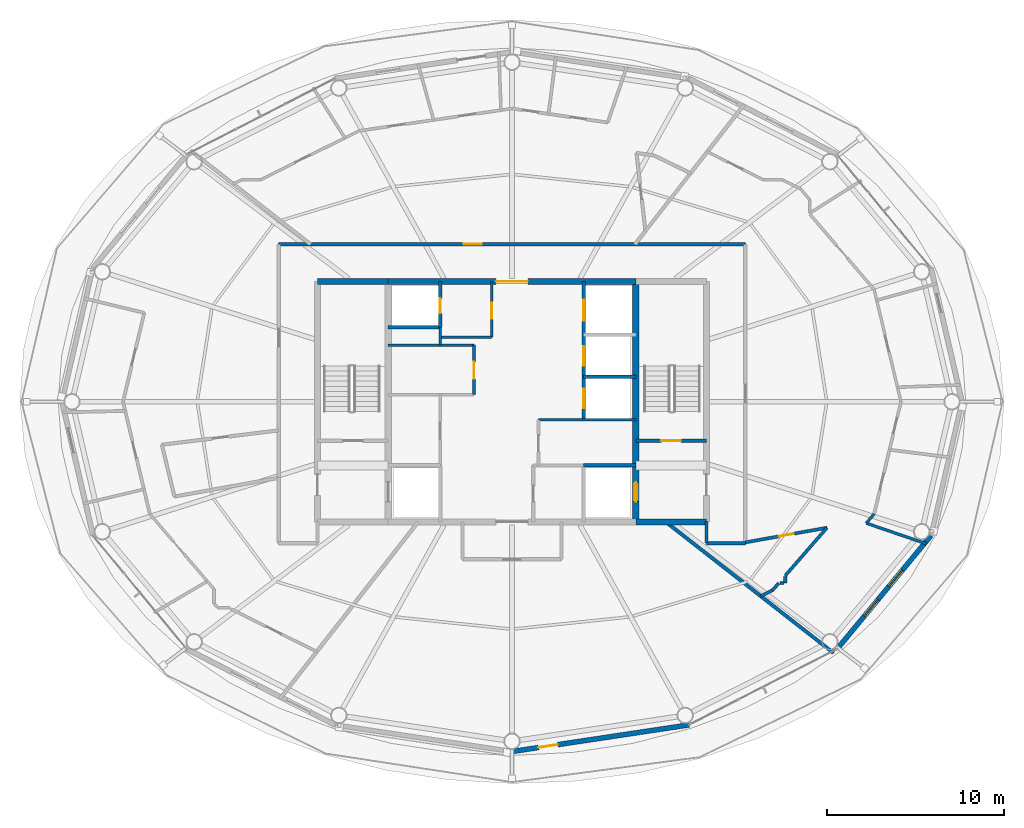
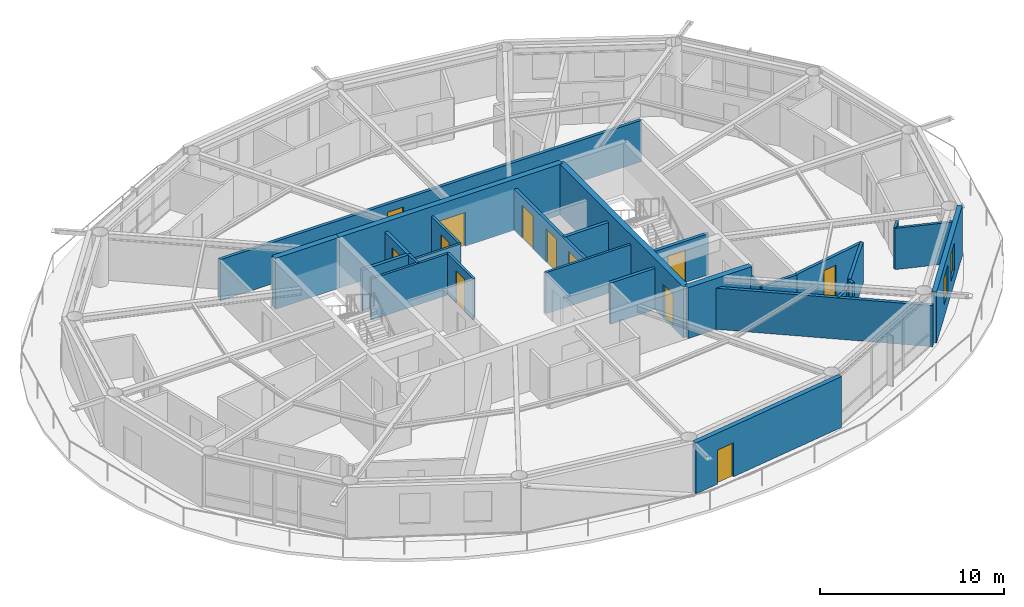
# One storey, part 17 of 22: 30 walls, 12 doors, 2 windows, 14 openings.
"""IFC4 building model written with IfcOpenShell, lengths in metres."""

from ifc_helpers import new_model, si_unit, direction, frame, frame_2d, origin, place, context, subcontext, project, spatial, rectangle, extrude, material, layer, layer_set, type_object, element, fill, save


model = new_model("IFC4")

# Units and contexts
model_context = context("Model", 3, precision=1e-05, world=origin(), true_north=direction((0.0, 1.0)))
body_context = subcontext(model_context, "Body", "Model", "MODEL_VIEW")
ifc_project = project(units=[si_unit("LENGTHUNIT", "METRE"), si_unit("AREAUNIT", "SQUARE_METRE"), si_unit("VOLUMEUNIT", "CUBIC_METRE"), si_unit("PLANEANGLEUNIT", "RADIAN"), si_unit("MASSUNIT", "GRAM", prefix="KILO")], contexts=[model_context])

# Site, building, storey
site_placement = place(None, origin())
site = spatial("IfcSite", under=ifc_project, at=site_placement, CompositionType="ELEMENT")
building_placement = place(site_placement, origin())
building = spatial("IfcBuilding", under=site, at=building_placement, Name="Sarneth Arch Tower", CompositionType="ELEMENT")
storey_placement = place(building_placement, frame((0.0, 0.0, 305.39990234375)))
storey = spatial("IfcBuildingStorey", under=building, at=storey_placement, Name="L79", CompositionType="ELEMENT", Elevation=305.39990234375)

# Walls
ifc_material_1 = material(Name="Concrete C50/60", Category="concrete")
ifc_layer_1 = layer(ifc_material_1, 0.35009765625)
ifc_layer_set_1 = layer_set([ifc_layer_1], Name="Concrete C50/60")
wall_type_1 = type_object("IfcWallType", Name="WALL-CORE-350", PredefinedType="SHEAR", material=ifc_layer_set_1)
for number, where, z_axis, x_axis, name in (
    (1, (55.0, 35.199951171875, 0.0), (0.0, 0.0, 1.0), (1.0, 0.0, 0.0), "L79 Core shear wall S-E"),
    (2, (37.0, 48.800048828125, 0.0), (0.0, 0.0, 1.0), (1.0, 0.0, 0.0), "L79 Core shear wall N-W"),
):
    element("IfcWall", number, at=place(storey_placement, frame(where, z_axis=z_axis, x_axis=x_axis)), inside=storey, type_object=wall_type_1, Name=name, PredefinedType="SHEAR", context=body_context, shape_type="SweptSolid", body=[
        extrude(rectangle(XDim=4.0, YDim=0.35009765625, at=frame_2d((2.0, 0.0))), origin(), (0.0, 0.0, 1.0), 3.3701171875),
    ])

# Wall, opening, door
wall_1_placement = place(storey_placement, frame((41.0, 48.800048828125, 0.0), z_axis=(0.0, 0.0, 1.0), x_axis=(1.0, 0.0, 0.0)))
wall_1 = element("IfcWall", 3, at=wall_1_placement, inside=storey, type_object=wall_type_1, Name="L79 Core shear wall N-M", PredefinedType="SHEAR", context=body_context, shape_type="SweptSolid", body=[
    extrude(rectangle(XDim=14.0, YDim=0.35009765625, at=frame_2d((7.0, 0.0))), origin(), (0.0, 0.0, 1.0), 3.3701171875),
])
opening_1_placement = place(wall_1_placement, frame((6.10009765625, 0.0, 0.0)))
opening_1 = element("IfcOpeningElement", 4, at=opening_1_placement, cuts=wall_1, Name="Opening FD-01", PredefinedType="OPENING", context=body_context, shape_type="SweptSolid", body=[
    extrude(rectangle(XDim=1.800048828125, YDim=2.25, at=frame_2d((0.89990234375, 1.125))), frame((0.0, 0.18505859375, 0.0), z_axis=(0.0, -1.0, 0.0), x_axis=(1.0, 0.0, 0.0)), (0.0, 0.0, 1.0), 0.3701171875),
])
ifc_material_2 = material(Name="Galvanised Steel S275 fire door set", Category="steel")
door_type_1 = type_object("IfcDoorType", Name="DR-FD90-1800", OperationType="DOUBLE_DOOR_SINGLE_SWING", PredefinedType="DOOR", material=ifc_material_2)
door_1_placement = place(opening_1_placement, origin())
door_1 = element("IfcDoor", 5, at=door_1_placement, inside=storey, type_object=door_type_1, Name="L79 Central lift lobby north door", OperationType="DOUBLE_DOOR_SINGLE_SWING", OverallHeight=2.25, OverallWidth=1.800048828125, PredefinedType="DOOR", context=body_context, shape_type="SweptSolid", body=[
    extrude(rectangle(XDim=1.800048828125, YDim=2.25, at=frame_2d((0.89990234375, 1.125))), frame((0.0, 0.02490234375, 0.0), z_axis=(0.0, -1.0, 0.0), x_axis=(1.0, 0.0, 0.0)), (0.0, 0.0, 1.0), 0.050048828125),
])
fill(opening_1, door_1)

wall_2_placement = place(storey_placement, frame((55.0, 35.199951171875, 0.0), z_axis=(0.0, 0.0, 1.0), x_axis=(0.0, 1.0, 0.0)))
wall_2 = element("IfcWall", 6, at=wall_2_placement, inside=storey, type_object=wall_type_1, Name="L79 Core shear wall WEB-E", PredefinedType="SHEAR", context=body_context, shape_type="SweptSolid", body=[
    extrude(rectangle(XDim=13.60009765625, YDim=0.35009765625, at=frame_2d((6.800048828125, 0.0))), origin(), (0.0, 0.0, 1.0), 3.3701171875),
])
opening_2_placement = place(wall_2_placement, frame((1.14990234375, 0.0, 0.0)))
opening_2 = element("IfcOpeningElement", 7, at=opening_2_placement, cuts=wall_2, Name="Opening LD-1", PredefinedType="OPENING", context=body_context, shape_type="SweptSolid", body=[
    extrude(rectangle(XDim=1.10009765625, YDim=2.199951171875, at=frame_2d((0.550048828125, 1.10009765625))), frame((0.0, 0.18505859375, 0.0), z_axis=(0.0, -1.0, 0.0), x_axis=(1.0, 0.0, 0.0)), (0.0, 0.0, 1.0), 0.3701171875),
])
ifc_material_3 = material(Name="Brushed Stainless Steel 304 lift landing door", Category="steel")
door_type_2 = type_object("IfcDoorType", Name="DR-LIFT-SLIDE-1100", OperationType="SLIDING_TO_LEFT", PredefinedType="DOOR", material=ifc_material_3)
door_2_placement = place(opening_2_placement, origin())
door_2 = element("IfcDoor", 8, at=door_2_placement, inside=storey, type_object=door_type_2, Name="L79 Firefighting lift landing door FL-2", OperationType="SLIDING_TO_RIGHT", OverallHeight=2.199951171875, OverallWidth=1.10009765625, PredefinedType="DOOR", context=body_context, shape_type="SweptSolid", body=[
    extrude(rectangle(XDim=1.10009765625, YDim=2.199951171875, at=frame_2d((0.550048828125, 1.10009765625))), frame((0.0, 0.02490234375, 0.0), z_axis=(0.0, -1.0, 0.0), x_axis=(1.0, 0.0, 0.0)), (0.0, 0.0, 1.0), 0.050048828125),
])
fill(opening_2, door_2)

ifc_material_4 = material(Name="Double steel-stud corridor fire wall", Category="steel")
ifc_layer_2 = layer(ifc_material_4, 0.18994140625)
ifc_layer_set_2 = layer_set([ifc_layer_2], Name="Double steel-stud corridor fire wall")
wall_type_2 = type_object("IfcWallType", Name="WALL-CORR-190", PredefinedType="PARTITIONING", material=ifc_layer_set_2)
wall_3_placement = place(storey_placement, frame((34.800048828125, 50.89990234375, 0.0), z_axis=(0.0, 0.0, 1.0), x_axis=(1.0, 0.0, 0.0)))
wall_3 = element("IfcWall", 9, at=wall_3_placement, inside=storey, type_object=wall_type_2, Name="L79 Interior partition W-L79-TP-001", PredefinedType="PARTITIONING", context=body_context, shape_type="SweptSolid", body=[
    extrude(rectangle(XDim=26.39990234375, YDim=0.18994140625, at=frame_2d((13.199951171875, 0.0))), origin(), (0.0, 0.0, 1.0), 2.72998046875),
])
opening_3_placement = place(wall_3_placement, frame((10.475341796875, 0.0, 0.0)))
opening_3 = element("IfcOpeningElement", 10, at=opening_3_placement, cuts=wall_3, Name="Opening FD-08", PredefinedType="OPENING", context=body_context, shape_type="SweptSolid", body=[
    extrude(rectangle(XDim=1.0, YDim=2.199951171875, at=frame_2d((0.5, 1.10009765625))), frame((0.0, 0.10498046875, 0.0), z_axis=(0.0, -1.0, 0.0), x_axis=(1.0, 0.0, 0.0)), (0.0, 0.0, 1.0), 0.2099609375),
])
ifc_material_5 = material(Name="Hardwood timber acoustic fire door", Category="wood")
door_type_3 = type_object("IfcDoorType", Name="DR-FD60-1000", OperationType="SINGLE_SWING_LEFT", PredefinedType="DOOR", material=ifc_material_5)
door_3_placement = place(opening_3_placement, origin())
door_3 = element("IfcDoor", 11, at=door_3_placement, inside=storey, type_object=door_type_3, Name="L79 Interior door DR-L79-U1-ENT", OperationType="SINGLE_SWING_LEFT", OverallHeight=2.199951171875, OverallWidth=1.0, PredefinedType="DOOR", context=body_context, shape_type="SweptSolid", body=[
    extrude(rectangle(XDim=1.0, YDim=2.199951171875, at=frame_2d((0.5, 1.10009765625))), frame((0.0, 0.02490234375, 0.0), z_axis=(0.0, -1.0, 0.0), x_axis=(1.0, 0.0, 0.0)), (0.0, 0.0, 1.0), 0.050048828125),
])
fill(opening_3, door_3)

ifc_material_6 = material(Name="Extruded terracotta rainscreen on Concrete C40/50 backing", Category="masonry")
ifc_layer_3 = layer(ifc_material_6, 0.280029296875)
ifc_layer_set_3 = layer_set([ifc_layer_3], Name="Extruded terracotta rainscreen on Concrete C40/50 backing")
wall_type_3 = type_object("IfcWallType", Name="WALL-EXT-TERRA-280", PredefinedType="SOLIDWALL", material=ifc_layer_set_3)
wall_4_placement = place(storey_placement, frame((48.0, 22.219970703125, 0.0), z_axis=(0.0, 0.0, 1.0), x_axis=(0.988882522213, 0.148698881169, 0.0)))
wall_4 = element("IfcWall", 12, at=wall_4_placement, inside=storey, type_object=wall_type_3, Name="L79 Terracotta perimeter wall 13", PredefinedType="SOLIDWALL", context=body_context, shape_type="SweptSolid", body=[
    extrude(rectangle(XDim=10.125244140625, YDim=0.280029296875, at=frame_2d((5.0625, 0.0))), origin(), (0.0, 0.0, 1.0), 3.3701171875),
])
opening_4_placement = place(wall_4_placement, frame((1.51611328125, 0.0, 0.0)))
opening_4 = element("IfcOpeningElement", 13, at=opening_4_placement, cuts=wall_4, Name="Opening BD-3", PredefinedType="OPENING", context=body_context, shape_type="SweptSolid", body=[
    extrude(rectangle(XDim=1.10009765625, YDim=2.25, at=frame_2d((0.550048828125, 1.125))), frame((0.0, 0.14990234375, 0.0), z_axis=(0.0, -1.0, 0.0), x_axis=(1.0, 0.0, 0.0)), (0.0, 0.0, 1.0), 0.300048828125),
])
ifc_material_7 = material(Name="Thermally broken Aluminium 6063-T6 and laminated safety glass", Category="aluminium")
door_type_4 = type_object("IfcDoorType", Name="DR-BALC-GLZ-1100", OperationType="SINGLE_SWING_LEFT", PredefinedType="DOOR", material=ifc_material_7)
door_4_placement = place(opening_4_placement, origin())
door_4 = element("IfcDoor", 14, at=door_4_placement, inside=storey, type_object=door_type_4, Name="L79 Balcony glazed door 13", OperationType="SINGLE_SWING_LEFT", OverallHeight=2.25, OverallWidth=1.10009765625, PredefinedType="DOOR", context=body_context, shape_type="SweptSolid", body=[
    extrude(rectangle(XDim=1.10009765625, YDim=2.25, at=frame_2d((0.550048828125, 1.125))), frame((0.0, 0.02490234375, 0.0), z_axis=(0.0, -1.0, 0.0), x_axis=(1.0, 0.0, 0.0)), (0.0, 0.0, 1.0), 0.050048828125),
])
fill(opening_4, door_4)

# Wall, openings, windows
wall_5_placement = place(storey_placement, frame((66.382568359375, 28.013427734375, 0.0), z_axis=(0.0, 0.0, 1.0), x_axis=(0.63761509934, 0.770355103243, 0.0)))
wall_5 = element("IfcWall", 15, at=wall_5_placement, inside=storey, type_object=wall_type_3, Name="L79 Terracotta perimeter wall 15", PredefinedType="SOLIDWALL", context=body_context, shape_type="SweptSolid", body=[
    extrude(rectangle(XDim=8.329833984375, YDim=0.280029296875, at=frame_2d((4.1650390625, 0.0))), origin(), (0.0, 0.0, 1.0), 3.3701171875),
])
opening_5_placement = place(wall_5_placement, frame((2.42626953125, 0.0, 0.85009765625)))
opening_5 = element("IfcOpeningElement", 16, at=opening_5_placement, cuts=wall_5, Name="Opening W-09", PredefinedType="OPENING", context=body_context, shape_type="SweptSolid", body=[
    extrude(rectangle(XDim=1.199951171875, YDim=1.800048828125, at=frame_2d((0.60009765625, 0.89990234375))), frame((0.0, 0.14990234375, 0.0), z_axis=(0.0, -1.0, 0.0), x_axis=(1.0, 0.0, 0.0)), (0.0, 0.0, 1.0), 0.300048828125),
])
opening_6_placement = place(wall_5_placement, frame((4.59619140625, 0.0, 0.85009765625)))
opening_6 = element("IfcOpeningElement", 17, at=opening_6_placement, cuts=wall_5, Name="Opening W-09", PredefinedType="OPENING", context=body_context, shape_type="SweptSolid", body=[
    extrude(rectangle(XDim=1.199951171875, YDim=1.800048828125, at=frame_2d((0.60009765625, 0.89990234375))), frame((0.0, 0.14990234375, 0.0), z_axis=(0.0, -1.0, 0.0), x_axis=(1.0, 0.0, 0.0)), (0.0, 0.0, 1.0), 0.300048828125),
])
ifc_material_8 = material(Name="Thermally broken Aluminium 6063-T6 and low-e laminated IGU", Category="aluminium")
window_type = type_object("IfcWindowType", Name="WIN-TWR-1200x1800", PartitioningType="SINGLE_PANEL", PredefinedType="WINDOW", material=ifc_material_8)
window_1_placement = place(opening_5_placement, origin())
window_1 = element("IfcWindow", 18, at=window_1_placement, inside=storey, type_object=window_type, Name="L79 Exterior window 15A", OverallHeight=1.800048828125, OverallWidth=1.199951171875, PartitioningType="SINGLE_PANEL", PredefinedType="WINDOW", context=body_context, shape_type="SweptSolid", body=[
    extrude(rectangle(XDim=1.199951171875, YDim=1.800048828125, at=frame_2d((0.60009765625, 0.89990234375))), frame((0.0, 0.030029296875, 0.0), z_axis=(0.0, -1.0, 0.0), x_axis=(1.0, 0.0, 0.0)), (0.0, 0.0, 1.0), 0.06005859375),
])
fill(opening_5, window_1)
window_2_placement = place(opening_6_placement, origin())
window_2 = element("IfcWindow", 19, at=window_2_placement, inside=storey, type_object=window_type, Name="L79 Exterior window 15B", OverallHeight=1.800048828125, OverallWidth=1.199951171875, PartitioningType="SINGLE_PANEL", PredefinedType="WINDOW", context=body_context, shape_type="SweptSolid", body=[
    extrude(rectangle(XDim=1.199951171875, YDim=1.800048828125, at=frame_2d((0.60009765625, 0.89990234375))), frame((0.0, 0.030029296875, 0.0), z_axis=(0.0, -1.0, 0.0), x_axis=(1.0, 0.0, 0.0)), (0.0, 0.0, 1.0), 0.06005859375),
])
fill(opening_6, window_2)

# Walls
ifc_material_9 = material(Name="Acoustic gypsum stud partition", Category="gypsum")
ifc_layer_4 = layer(ifc_material_9, 0.14990234375)
ifc_layer_set_4 = layer_set([ifc_layer_4], Name="Acoustic gypsum stud partition")
wall_type_4 = type_object("IfcWallType", Name="WALL-PART-150", PredefinedType="PARTITIONING", material=ifc_layer_set_4)
wall_6_placement = place(storey_placement, frame((41.0, 45.199951171875, 0.0), z_axis=(0.0, 0.0, 1.0), x_axis=(1.0, 0.0, 0.0)))
element("IfcWall", 20, at=wall_6_placement, inside=storey, type_object=wall_type_4, Name="L79 Interior partition W-L79-RECPM1-N", PredefinedType="PARTITIONING", context=body_context, shape_type="SweptSolid", body=[
    extrude(rectangle(XDim=4.85009765625, YDim=0.14990234375, at=frame_2d((2.425048828125, 0.0))), origin(), (0.0, 0.0, 1.0), 2.72998046875),
])
wall_7_placement = place(storey_placement, frame((43.949951171875, 45.199951171875, 0.0), z_axis=(0.0, 0.0, 1.0), x_axis=(0.0, 1.0, 0.0)))
element("IfcWall", 21, at=wall_7_placement, inside=storey, type_object=wall_type_4, Name="L79 Interior partition W-L79-RECPM1-W2", PredefinedType="PARTITIONING", context=body_context, shape_type="SweptSolid", body=[
    extrude(rectangle(XDim=1.0, YDim=0.14990234375, at=frame_2d((0.5, 0.0))), origin(), (0.0, 0.0, 1.0), 2.72998046875),
])

# Wall, opening, door
wall_8_placement = place(storey_placement, frame((45.85009765625, 42.39990234375, 0.0), z_axis=(0.0, 0.0, 1.0), x_axis=(0.0, 1.0, 0.0)))
wall_8 = element("IfcWall", 22, at=wall_8_placement, inside=storey, type_object=wall_type_4, Name="L79 Interior partition W-L79-RECPM1-E", PredefinedType="PARTITIONING", context=body_context, shape_type="SweptSolid", body=[
    extrude(rectangle(XDim=2.800048828125, YDim=0.14990234375, at=frame_2d((1.39990234375, 0.0))), origin(), (0.0, 0.0, 1.0), 2.72998046875),
])
opening_7_placement = place(wall_8_placement, frame((0.89990234375, 0.0, 0.0)))
opening_7 = element("IfcOpeningElement", 23, at=opening_7_placement, cuts=wall_8, Name="Opening FD-09", PredefinedType="OPENING", context=body_context, shape_type="SweptSolid", body=[
    extrude(rectangle(XDim=0.949951171875, YDim=2.14990234375, at=frame_2d((0.47509765625, 1.074951171875))), frame((0.0, 0.0849609375, 0.0), z_axis=(0.0, -1.0, 0.0), x_axis=(1.0, 0.0, 0.0)), (0.0, 0.0, 1.0), 0.169921875),
])
ifc_material_10 = material(Name="Hardwood timber hotel entrance fire door", Category="wood")
door_type_5 = type_object("IfcDoorType", Name="DR-FD60-950", OperationType="SINGLE_SWING_RIGHT", PredefinedType="DOOR", material=ifc_material_10)
door_5_placement = place(opening_7_placement, origin())
door_5 = element("IfcDoor", 24, at=door_5_placement, inside=storey, type_object=door_type_5, Name="L79 Interior door DR-L79-RECPM1", OperationType="SINGLE_SWING_RIGHT", OverallHeight=2.14990234375, OverallWidth=0.949951171875, PredefinedType="DOOR", context=body_context, shape_type="SweptSolid", body=[
    extrude(rectangle(XDim=0.949951171875, YDim=2.14990234375, at=frame_2d((0.47509765625, 1.074951171875))), frame((0.0, 0.02490234375, 0.0), z_axis=(0.0, -1.0, 0.0), x_axis=(1.0, 0.0, 0.0)), (0.0, 0.0, 1.0), 0.050048828125),
])
fill(opening_7, door_5)

# Walls
wall_9_placement = place(storey_placement, frame((49.5, 40.97998046875, 0.0), z_axis=(0.0, 0.0, 1.0), x_axis=(1.0, 0.0, 0.0)))
element("IfcWall", 25, at=wall_9_placement, inside=storey, type_object=wall_type_4, Name="L79 Interior partition W-L79-RECPM2-N", PredefinedType="PARTITIONING", context=body_context, shape_type="SweptSolid", body=[
    extrude(rectangle(XDim=5.5, YDim=0.14990234375, at=frame_2d((2.75, 0.0))), origin(), (0.0, 0.0, 1.0), 2.72998046875),
])
wall_10_placement = place(storey_placement, frame((43.949951171875, 45.64990234375, 0.0), z_axis=(0.0, 0.0, 1.0), x_axis=(1.0, 0.0, 0.0)))
element("IfcWall", 26, at=wall_10_placement, inside=storey, type_object=wall_type_4, Name="L79 Interior partition W-L79-CSUP1-S", PredefinedType="PARTITIONING", context=body_context, shape_type="SweptSolid", body=[
    extrude(rectangle(XDim=2.900146484375, YDim=0.14990234375, at=frame_2d((1.4501953125, 0.0))), origin(), (0.0, 0.0, 1.0), 2.72998046875),
])

# Wall, opening, door
wall_11_placement = place(storey_placement, frame((46.85009765625, 45.64990234375, 0.0), z_axis=(0.0, 0.0, 1.0), x_axis=(0.0, 1.0, 0.0)))
wall_11 = element("IfcWall", 27, at=wall_11_placement, inside=storey, type_object=wall_type_4, Name="L79 Interior partition W-L79-CSUP1-E", PredefinedType="PARTITIONING", context=body_context, shape_type="SweptSolid", body=[
    extrude(rectangle(XDim=3.150146484375, YDim=0.14990234375, at=frame_2d((1.5751953125, 0.0))), origin(), (0.0, 0.0, 1.0), 2.72998046875),
])
opening_8_placement = place(wall_11_placement, frame((1.050048828125, 0.0, 0.0)))
opening_8 = element("IfcOpeningElement", 28, at=opening_8_placement, cuts=wall_11, Name="Opening FD-10", PredefinedType="OPENING", context=body_context, shape_type="SweptSolid", body=[
    extrude(rectangle(XDim=0.89990234375, YDim=2.14990234375, at=frame_2d((0.449951171875, 1.074951171875))), frame((0.0, 0.0849609375, 0.0), z_axis=(0.0, -1.0, 0.0), x_axis=(1.0, 0.0, 0.0)), (0.0, 0.0, 1.0), 0.169921875),
])
ifc_material_11 = material(Name="Galvanised Steel S275 riser/service fire door", Category="steel")
door_type_6 = type_object("IfcDoorType", Name="DR-FD60-900", OperationType="SINGLE_SWING_LEFT", PredefinedType="DOOR", material=ifc_material_11)
door_6_placement = place(opening_8_placement, origin())
door_6 = element("IfcDoor", 29, at=door_6_placement, inside=storey, type_object=door_type_6, Name="L79 Interior door DR-L79-CSUP1", OperationType="SINGLE_SWING_LEFT", OverallHeight=2.14990234375, OverallWidth=0.89990234375, PredefinedType="DOOR", context=body_context, shape_type="SweptSolid", body=[
    extrude(rectangle(XDim=0.89990234375, YDim=2.14990234375, at=frame_2d((0.449951171875, 1.074951171875))), frame((0.0, 0.02490234375, 0.0), z_axis=(0.0, -1.0, 0.0), x_axis=(1.0, 0.0, 0.0)), (0.0, 0.0, 1.0), 0.050048828125),
])
fill(opening_8, door_6)

# Walls
ifc_material_12 = material(Name="Kitchen wet service chase wall", Category="gypsum")
ifc_layer_5 = layer(ifc_material_12, 0.159912109375)
ifc_layer_set_5 = layer_set([ifc_layer_5], Name="Kitchen wet service chase wall")
wall_type_5 = type_object("IfcWallType", Name="WALL-PLUMB-160", PredefinedType="PLUMBINGWALL", material=ifc_layer_set_5)
wall_12_placement = place(storey_placement, frame((71.451904296875, 33.96240234375, 0.0), z_axis=(0.0, 0.0, 1.0), x_axis=(-0.945979125591, 0.32422753422, 0.0)))
element("IfcWall", 30, at=wall_12_placement, inside=storey, type_object=wall_type_5, Name="L79 Interior partition W-L79-TP-061", PredefinedType="PLUMBINGWALL", context=body_context, shape_type="SweptSolid", body=[
    extrude(rectangle(XDim=3.611328125, YDim=0.159912109375, at=frame_2d((1.8056640625, 0.0))), origin(), (0.0, 0.0, 1.0), 2.72998046875),
])
wall_13_placement = place(storey_placement, frame((68.03564453125, 35.13330078125, 0.0), z_axis=(0.0, 0.0, 1.0), x_axis=(0.649207140033, 0.760611654743, 0.0)))
element("IfcWall", 31, at=wall_13_placement, inside=storey, type_object=wall_type_5, Name="L79 Interior partition W-L79-TP-062", PredefinedType="PLUMBINGWALL", context=body_context, shape_type="SweptSolid", body=[
    extrude(rectangle(XDim=0.68603515625, YDim=0.159912109375, at=frame_2d((0.343017578125, 0.0))), origin(), (0.0, 0.0, 1.0), 2.72998046875),
])

# Wall, opening, door
ifc_material_13 = material(Name="Moisture-resistant plumbing chase wall", Category="gypsum")
ifc_layer_6 = layer(ifc_material_13, 0.179931640625)
ifc_layer_set_6 = layer_set([ifc_layer_6], Name="Moisture-resistant plumbing chase wall")
wall_type_6 = type_object("IfcWallType", Name="WALL-PLUMB-180", PredefinedType="PLUMBINGWALL", material=ifc_layer_set_6)
wall_14_placement = place(storey_placement, frame((65.81005859375, 34.87548828125, 0.0), z_axis=(0.0, 0.0, 1.0), x_axis=(-0.984255399889, -0.1767521083, 0.0)))
wall_14 = element("IfcWall", 32, at=wall_14_placement, inside=storey, type_object=wall_type_6, Name="L79 Interior partition W-L79-TP-069", PredefinedType="PLUMBINGWALL", context=body_context, shape_type="SweptSolid", body=[
    extrude(rectangle(XDim=4.683837890625, YDim=0.179931640625, at=frame_2d((2.341796875, 0.0))), origin(), (0.0, 0.0, 1.0), 2.72998046875),
])
opening_9_placement = place(wall_14_placement, frame((1.9169921875, 0.0, 0.0)))
opening_9 = element("IfcOpeningElement", 33, at=opening_9_placement, cuts=wall_14, Name="Opening ID-02", PredefinedType="OPENING", context=body_context, shape_type="SweptSolid", body=[
    extrude(rectangle(XDim=0.85009765625, YDim=2.10009765625, at=frame_2d((0.425048828125, 1.050048828125))), frame((0.0, 0.099853515625, 0.0), z_axis=(0.0, -1.0, 0.0), x_axis=(1.0, 0.0, 0.0)), (0.0, 0.0, 1.0), 0.199951171875),
])
ifc_material_14 = material(Name="Moisture-resistant bathroom timber door", Category="wood")
door_type_7 = type_object("IfcDoorType", Name="DR-INT-850", OperationType="SINGLE_SWING_RIGHT", PredefinedType="DOOR", material=ifc_material_14)
door_7_placement = place(opening_9_placement, origin())
door_7 = element("IfcDoor", 34, at=door_7_placement, inside=storey, type_object=door_type_7, Name="L79 Interior door DR-L79-U4-BATH", OperationType="SINGLE_SWING_RIGHT", OverallHeight=2.10009765625, OverallWidth=0.85009765625, PredefinedType="DOOR", context=body_context, shape_type="SweptSolid", body=[
    extrude(rectangle(XDim=0.85009765625, YDim=2.10009765625, at=frame_2d((0.425048828125, 1.050048828125))), frame((0.0, 0.02490234375, 0.0), z_axis=(0.0, -1.0, 0.0), x_axis=(1.0, 0.0, 0.0)), (0.0, 0.0, 1.0), 0.050048828125),
])
fill(opening_9, door_7)

# Walls
wall_15_placement = place(storey_placement, frame((63.449951171875, 32.1630859375, 0.0), z_axis=(0.0, 0.0, 1.0), x_axis=(0.656415720833, 0.754399364689, 0.0)))
element("IfcWall", 35, at=wall_15_placement, inside=storey, type_object=wall_type_6, Name="L79 Interior partition W-L79-TP-068", PredefinedType="PLUMBINGWALL", context=body_context, shape_type="SweptSolid", body=[
    extrude(rectangle(XDim=3.595458984375, YDim=0.179931640625, at=frame_2d((1.7978515625, 0.0))), origin(), (0.0, 0.0, 1.0), 2.72998046875),
])
wall_16_placement = place(storey_placement, frame((61.199951171875, 34.0, 0.0), z_axis=(0.0, 0.0, 1.0), x_axis=(-1.0, 0.0, 0.0)))
element("IfcWall", 36, at=wall_16_placement, inside=storey, type_object=wall_type_6, Name="L79 Interior partition W-L79-TP-010", PredefinedType="PLUMBINGWALL", context=body_context, shape_type="SweptSolid", body=[
    extrude(rectangle(XDim=2.199951171875, YDim=0.179931640625, at=frame_2d((1.10009765625, 0.0))), origin(), (0.0, 0.0, 1.0), 2.72998046875),
])
wall_17_placement = place(storey_placement, frame((59.0, 34.0, 0.0), z_axis=(0.0, 0.0, 1.0), x_axis=(0.0, 1.0, 0.0)))
element("IfcWall", 37, at=wall_17_placement, inside=storey, type_object=wall_type_6, Name="L79 Interior partition W-L79-TP-011", PredefinedType="PLUMBINGWALL", context=body_context, shape_type="SweptSolid", body=[
    extrude(rectangle(XDim=1.23193359375, YDim=0.179931640625, at=frame_2d((0.615966796875, 0.0))), origin(), (0.0, 0.0, 1.0), 2.72998046875),
])
wall_18_placement = place(storey_placement, frame((62.064208984375, 31.01171875, 0.0), z_axis=(0.0, 0.0, 1.0), x_axis=(0.898856964529, 0.438242121798, 0.0)))
element("IfcWall", 38, at=wall_18_placement, inside=storey, type_object=wall_type_6, Name="L79 Interior partition W-L79-TP-064", PredefinedType="PLUMBINGWALL", context=body_context, shape_type="SweptSolid", body=[
    extrude(rectangle(XDim=0.741943359375, YDim=0.179931640625, at=frame_2d((0.37109375, 0.0))), origin(), (0.0, 0.0, 1.0), 2.72998046875),
])
wall_19_placement = place(storey_placement, frame((62.731201171875, 31.3369140625, 0.0), z_axis=(0.0, 0.0, 1.0), x_axis=(0.656609016673, 0.754231131168, 0.0)))
element("IfcWall", 39, at=wall_19_placement, inside=storey, type_object=wall_type_6, Name="L79 Interior partition W-L79-TP-065", PredefinedType="PLUMBINGWALL", context=body_context, shape_type="SweptSolid", body=[
    extrude(rectangle(XDim=0.547607421875, YDim=0.179931640625, at=frame_2d((0.27392578125, 0.0))), origin(), (0.0, 0.0, 1.0), 2.72998046875),
])
wall_20_placement = place(storey_placement, frame((63.449951171875, 31.75, 0.0), z_axis=(0.0, 0.0, 1.0), x_axis=(0.0, 1.0, 0.0)))
element("IfcWall", 40, at=wall_20_placement, inside=storey, type_object=wall_type_6, Name="L79 Interior partition W-L79-TP-067", PredefinedType="PLUMBINGWALL", context=body_context, shape_type="SweptSolid", body=[
    extrude(rectangle(XDim=0.364990234375, YDim=0.179931640625, at=frame_2d((0.1826171875, 0.0))), origin(), (0.0, 0.0, 1.0), 2.72998046875),
])
wall_21_placement = place(storey_placement, frame((63.142578125, 31.75, 0.0), z_axis=(0.0, 0.0, 1.0), x_axis=(1.0, 0.0, 0.0)))
element("IfcWall", 41, at=wall_21_placement, inside=storey, type_object=wall_type_6, Name="L79 Interior partition W-L79-TP-066", PredefinedType="PLUMBINGWALL", context=body_context, shape_type="SweptSolid", body=[
    extrude(rectangle(XDim=0.2314453125, YDim=0.179931640625, at=frame_2d((0.11572265625, 0.0))), origin(), (0.0, 0.0, 1.0), 2.72998046875),
])

# Wall, opening, door
ifc_material_15 = material(Name="Aerated concrete blockwork C25/30", Category="masonry")
ifc_layer_7 = layer(ifc_material_15, 0.199951171875)
ifc_layer_set_7 = layer_set([ifc_layer_7], Name="Aerated concrete blockwork C25/30")
wall_type_7 = type_object("IfcWallType", Name="WALL-SHAFT-200", PredefinedType="SOLIDWALL", material=ifc_layer_set_7)
wall_22_placement = place(storey_placement, frame((55.0, 39.800048828125, 0.0), z_axis=(0.0, 0.0, 1.0), x_axis=(1.0, 0.0, 0.0)))
wall_22 = element("IfcWall", 42, at=wall_22_placement, inside=storey, type_object=wall_type_7, Name="L79 Interior partition W-L79-ST2-S", PredefinedType="SOLIDWALL", context=body_context, shape_type="SweptSolid", body=[
    extrude(rectangle(XDim=4.0, YDim=0.199951171875, at=frame_2d((2.0, 0.0))), origin(), (0.0, 0.0, 1.0), 2.72998046875),
])
opening_10_placement = place(wall_22_placement, frame((1.449951171875, 0.0, 0.0)))
opening_10 = element("IfcOpeningElement", 43, at=opening_10_placement, cuts=wall_22, Name="Opening FD-03", PredefinedType="OPENING", context=body_context, shape_type="SweptSolid", body=[
    extrude(rectangle(XDim=1.10009765625, YDim=2.14990234375, at=frame_2d((0.550048828125, 1.074951171875))), frame((0.0, 0.10986328125, 0.0), z_axis=(0.0, -1.0, 0.0), x_axis=(1.0, 0.0, 0.0)), (0.0, 0.0, 1.0), 0.219970703125),
])
ifc_material_16 = material(Name="Galvanised Steel S275 fire door set", Category="steel")
door_type_8 = type_object("IfcDoorType", Name="DR-FD90-1100", OperationType="SINGLE_SWING_LEFT", PredefinedType="DOOR", material=ifc_material_16)
door_8_placement = place(opening_10_placement, origin())
door_8 = element("IfcDoor", 44, at=door_8_placement, inside=storey, type_object=door_type_8, Name="L79 Interior door DR-L79-ST2", OperationType="SINGLE_SWING_RIGHT", OverallHeight=2.14990234375, OverallWidth=1.10009765625, PredefinedType="DOOR", context=body_context, shape_type="SweptSolid", body=[
    extrude(rectangle(XDim=1.10009765625, YDim=2.14990234375, at=frame_2d((0.550048828125, 1.074951171875))), frame((0.0, 0.02490234375, 0.0), z_axis=(0.0, -1.0, 0.0), x_axis=(1.0, 0.0, 0.0)), (0.0, 0.0, 1.0), 0.050048828125),
])
fill(opening_10, door_8)

# Walls
for number, where, z_axis, x_axis, name in (
    (45, (52.050048828125, 38.39990234375, 0.0), (0.0, 0.0, 1.0), (1.0, 0.0, 0.0), "L79 Interior partition W-L79-FL2-N"),
    (46, (41.0, 46.199951171875, 0.0), (0.0, 0.0, 1.0), (1.0, 0.0, 0.0), "L79 Interior partition W-L79-RISER-S"),
):
    element("IfcWall", number, at=place(storey_placement, frame(where, z_axis=z_axis, x_axis=x_axis)), inside=storey, type_object=wall_type_7, Name=name, PredefinedType="SOLIDWALL", context=body_context, shape_type="SweptSolid", body=[
        extrude(rectangle(XDim=2.949951171875, YDim=0.199951171875, at=frame_2d((1.47509765625, 0.0))), origin(), (0.0, 0.0, 1.0), 2.72998046875),
    ])

# Wall, opening, door
wall_23_placement = place(storey_placement, frame((43.949951171875, 46.199951171875, 0.0), z_axis=(0.0, 0.0, 1.0), x_axis=(0.0, 1.0, 0.0)))
wall_23 = element("IfcWall", 47, at=wall_23_placement, inside=storey, type_object=wall_type_7, Name="L79 Interior partition W-L79-RISER-E", PredefinedType="SOLIDWALL", context=body_context, shape_type="SweptSolid", body=[
    extrude(rectangle(XDim=2.60009765625, YDim=0.199951171875, at=frame_2d((1.300048828125, 0.0))), origin(), (0.0, 0.0, 1.0), 2.72998046875),
])
opening_11_placement = place(wall_23_placement, frame((0.800048828125, 0.0, 0.0)))
opening_11 = element("IfcOpeningElement", 48, at=opening_11_placement, cuts=wall_23, Name="Opening FD-11", PredefinedType="OPENING", context=body_context, shape_type="SweptSolid", body=[
    extrude(rectangle(XDim=0.85009765625, YDim=2.14990234375, at=frame_2d((0.425048828125, 1.074951171875))), frame((0.0, 0.10986328125, 0.0), z_axis=(0.0, -1.0, 0.0), x_axis=(1.0, 0.0, 0.0)), (0.0, 0.0, 1.0), 0.219970703125),
])
ifc_material_17 = material(Name="Galvanised Steel S275 closet fire door", Category="steel")
door_type_9 = type_object("IfcDoorType", Name="DR-FD60-850", OperationType="SINGLE_SWING_LEFT", PredefinedType="DOOR", material=ifc_material_17)
door_9_placement = place(opening_11_placement, origin())
door_9 = element("IfcDoor", 49, at=door_9_placement, inside=storey, type_object=door_type_9, Name="L79 Lift landing door DR-L79-RISER", OperationType="SINGLE_SWING_LEFT", OverallHeight=2.14990234375, OverallWidth=0.85009765625, PredefinedType="DOOR", context=body_context, shape_type="SweptSolid", body=[
    extrude(rectangle(XDim=0.85009765625, YDim=2.14990234375, at=frame_2d((0.425048828125, 1.074951171875))), frame((0.0, 0.02490234375, 0.0), z_axis=(0.0, -1.0, 0.0), x_axis=(1.0, 0.0, 0.0)), (0.0, 0.0, 1.0), 0.050048828125),
])
fill(opening_11, door_9)

# Wall
wall_24_placement = place(storey_placement, frame((52.050048828125, 43.419921875, 0.0), z_axis=(0.0, 0.0, 1.0), x_axis=(1.0, 0.0, 0.0)))
element("IfcWall", 50, at=wall_24_placement, inside=storey, type_object=wall_type_7, Name="L79 Interior partition W-L79-EB-DIV-4342", PredefinedType="SOLIDWALL", context=body_context, shape_type="SweptSolid", body=[
    extrude(rectangle(XDim=2.949951171875, YDim=0.199951171875, at=frame_2d((1.47509765625, 0.0))), origin(), (0.0, 0.0, 1.0), 2.72998046875),
])

# Wall, openings, doors
wall_25_placement = place(storey_placement, frame((52.050048828125, 40.97998046875, 0.0), z_axis=(0.0, 0.0, 1.0), x_axis=(0.0, 1.0, 0.0)))
wall_25 = element("IfcWall", 51, at=wall_25_placement, inside=storey, type_object=wall_type_7, Name="L79 Interior partition W-L79-EASTBANK-UPPER", PredefinedType="SOLIDWALL", context=body_context, shape_type="SweptSolid", body=[
    extrude(rectangle(XDim=7.820068359375, YDim=0.199951171875, at=frame_2d((3.91015625, 0.0))), origin(), (0.0, 0.0, 1.0), 2.72998046875),
])
opening_12_placement = place(wall_25_placement, frame((0.64990234375, 0.0, 0.0)))
opening_12 = element("IfcOpeningElement", 52, at=opening_12_placement, cuts=wall_25, Name="Opening LD-1", PredefinedType="OPENING", context=body_context, shape_type="SweptSolid", body=[
    extrude(rectangle(XDim=1.10009765625, YDim=2.199951171875, at=frame_2d((0.550048828125, 1.10009765625))), frame((0.0, 0.10986328125, 0.0), z_axis=(0.0, -1.0, 0.0), x_axis=(1.0, 0.0, 0.0)), (0.0, 0.0, 1.0), 0.219970703125),
])
opening_13_placement = place(wall_25_placement, frame((3.050048828125, 0.0, 0.0)))
opening_13 = element("IfcOpeningElement", 53, at=opening_13_placement, cuts=wall_25, Name="Opening LD-1", PredefinedType="OPENING", context=body_context, shape_type="SweptSolid", body=[
    extrude(rectangle(XDim=1.10009765625, YDim=2.199951171875, at=frame_2d((0.550048828125, 1.10009765625))), frame((0.0, 0.10986328125, 0.0), z_axis=(0.0, -1.0, 0.0), x_axis=(1.0, 0.0, 0.0)), (0.0, 0.0, 1.0), 0.219970703125),
])
opening_14_placement = place(wall_25_placement, frame((5.60009765625, 0.0, 0.0)))
opening_14 = element("IfcOpeningElement", 54, at=opening_14_placement, cuts=wall_25, Name="Opening LD-2", PredefinedType="OPENING", context=body_context, shape_type="SweptSolid", body=[
    extrude(rectangle(XDim=1.199951171875, YDim=2.199951171875, at=frame_2d((0.60009765625, 1.10009765625))), frame((0.0, 0.10986328125, 0.0), z_axis=(0.0, -1.0, 0.0), x_axis=(1.0, 0.0, 0.0)), (0.0, 0.0, 1.0), 0.219970703125),
])
door_10_placement = place(opening_12_placement, origin())
door_10 = element("IfcDoor", 55, at=door_10_placement, inside=storey, type_object=door_type_2, Name="L79 Lift landing door DR-L79-LD-PH1", OperationType="SLIDING_TO_RIGHT", OverallHeight=2.199951171875, OverallWidth=1.10009765625, PredefinedType="DOOR", context=body_context, shape_type="SweptSolid", body=[
    extrude(rectangle(XDim=1.10009765625, YDim=2.199951171875, at=frame_2d((0.550048828125, 1.10009765625))), frame((0.0, 0.02490234375, 0.0), z_axis=(0.0, -1.0, 0.0), x_axis=(1.0, 0.0, 0.0)), (0.0, 0.0, 1.0), 0.050048828125),
])
fill(opening_12, door_10)
door_11_placement = place(opening_13_placement, origin())
door_11 = element("IfcDoor", 56, at=door_11_placement, inside=storey, type_object=door_type_2, Name="L79 Lift landing door DR-L79-LD-PH2", OperationType="SLIDING_TO_LEFT", OverallHeight=2.199951171875, OverallWidth=1.10009765625, PredefinedType="DOOR", context=body_context, shape_type="SweptSolid", body=[
    extrude(rectangle(XDim=1.10009765625, YDim=2.199951171875, at=frame_2d((0.550048828125, 1.10009765625))), frame((0.0, 0.02490234375, 0.0), z_axis=(0.0, -1.0, 0.0), x_axis=(1.0, 0.0, 0.0)), (0.0, 0.0, 1.0), 0.050048828125),
])
fill(opening_13, door_11)
ifc_material_18 = material(Name="Brushed Stainless Steel 304 service lift door", Category="steel")
door_type_10 = type_object("IfcDoorType", Name="DR-LIFT-SLIDE-1200", OperationType="SLIDING_TO_RIGHT", PredefinedType="DOOR", material=ifc_material_18)
door_12_placement = place(opening_14_placement, origin())
door_12 = element("IfcDoor", 57, at=door_12_placement, inside=storey, type_object=door_type_10, Name="L79 Lift landing door DR-L79-LD-SL1", OperationType="SLIDING_TO_RIGHT", OverallHeight=2.199951171875, OverallWidth=1.199951171875, PredefinedType="DOOR", context=body_context, shape_type="SweptSolid", body=[
    extrude(rectangle(XDim=1.199951171875, YDim=2.199951171875, at=frame_2d((0.60009765625, 1.10009765625))), frame((0.0, 0.02490234375, 0.0), z_axis=(0.0, -1.0, 0.0), x_axis=(1.0, 0.0, 0.0)), (0.0, 0.0, 1.0), 0.050048828125),
])
fill(opening_14, door_12)

# Wall
ifc_material_19 = material(Name="Double steel-stud acoustic drywall", Category="steel")
ifc_layer_8 = layer(ifc_material_19, 0.199951171875)
ifc_layer_set_8 = layer_set([ifc_layer_8], Name="Double steel-stud acoustic drywall")
wall_type_8 = type_object("IfcWallType", Name="WALL-UNIT-200", PredefinedType="PARTITIONING", material=ifc_layer_set_8)
wall_26_placement = place(storey_placement, frame((56.70361328125, 35.199951171875, 0.0), z_axis=(0.0, 0.0, 1.0), x_axis=(0.78802314347, -0.615645616695, 0.0)))
element("IfcWall", 58, at=wall_26_placement, inside=storey, type_object=wall_type_8, Name="L79 Interior partition W-L79-TP-058", PredefinedType="PARTITIONING", context=body_context, shape_type="SweptSolid", body=[
    extrude(rectangle(XDim=12.034423828125, YDim=0.199951171875, at=frame_2d((6.01708984375, 0.0))), origin(), (0.0, 0.0, 1.0), 2.72998046875),
])

save(model, "model.ifc")
